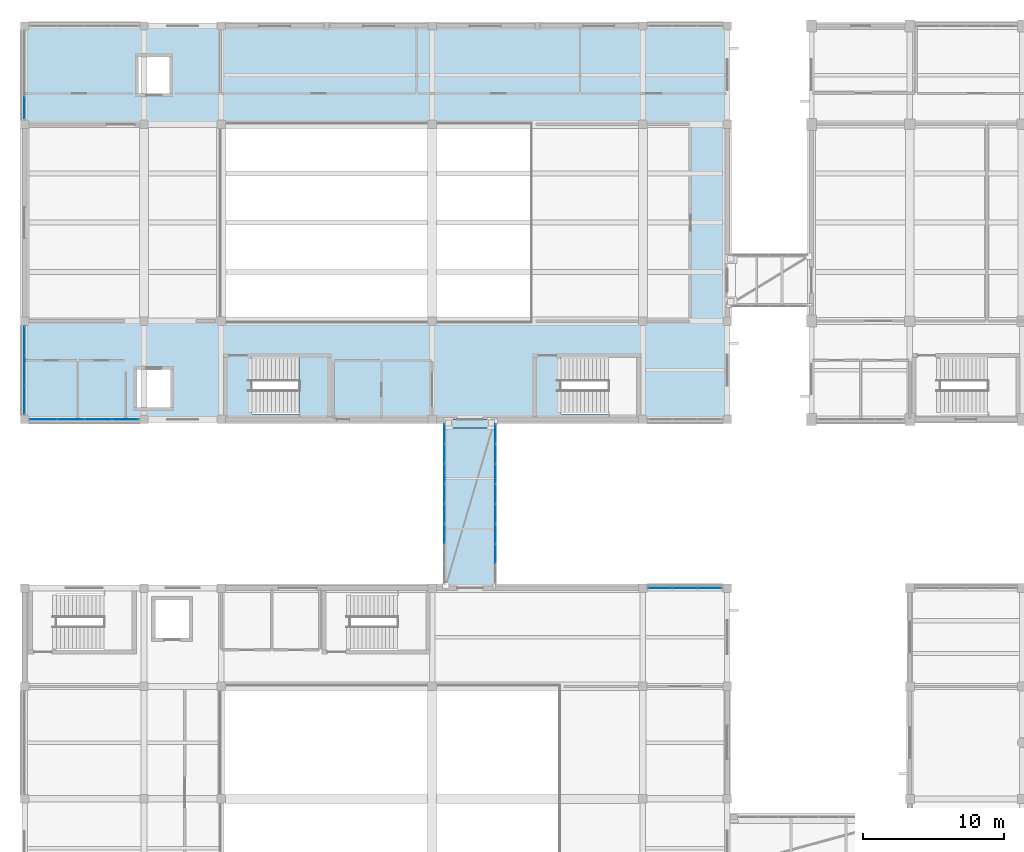
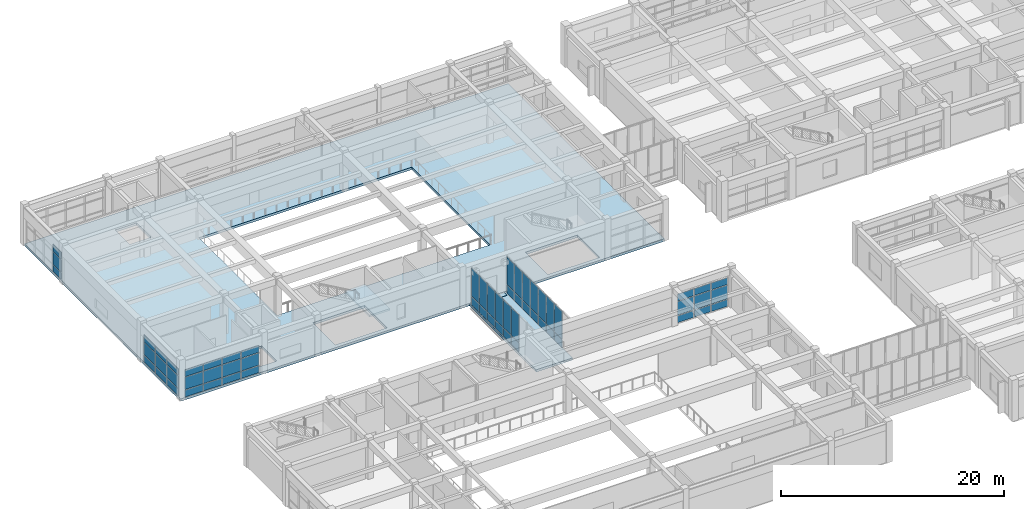
# One storey, part 38 of 72: 60 plates, 3 slabs, 7 elements without a shape of their own.
"""IFC4 building model written with IfcOpenShell, lengths in metres."""

from ifc_helpers import new_model, si_unit, direction, frame, origin, origin_2d, place, context, subcontext, project, spatial, polyline, rectangle, outline, extrude, material, layer, layer_set, type_object, element, aggregate, save


model = new_model("IFC4")

# Units and contexts
model_context = context("Model", 3, precision=1e-05, world=origin(), true_north=direction((0.0, 1.0)))
body_context = subcontext(model_context, "Body", "Model", "MODEL_VIEW")
ifc_project = project(units=[si_unit("LENGTHUNIT", "METRE"), si_unit("AREAUNIT", "SQUARE_METRE"), si_unit("VOLUMEUNIT", "CUBIC_METRE"), si_unit("PLANEANGLEUNIT", "RADIAN"), si_unit("MASSUNIT", "GRAM", prefix="KILO")], contexts=[model_context])

# Site, building, storey
site_placement = place(None, origin())
site = spatial("IfcSite", under=ifc_project, at=site_placement, CompositionType="ELEMENT")
building_placement = place(site_placement, origin())
building = spatial("IfcBuilding", under=site, at=building_placement, Name="Naurynzar Civic Courthouse", CompositionType="ELEMENT")
storey_placement = place(building_placement, frame((0.0, 0.0, 9.89990234375)))
storey = spatial("IfcBuildingStorey", under=building, at=storey_placement, Name="L03", CompositionType="ELEMENT", Elevation=9.89990234375)

# Curtain wall, plates
ifc_material_1 = material(Name="Aluminium 6063-T6", Category="aluminium")
ifc_layer_1 = layer(ifc_material_1, 0.14990234375)
ifc_layer_set_1 = layer_set([ifc_layer_1], Name="CW-BRIDGE-1500")
curtain_wall_type_1 = type_object("IfcCurtainWallType", Name="CW-BRIDGE-1500", PredefinedType="USERDEFINED", material=ifc_layer_set_1)
curtain_wall_1_placement = place(storey_placement, origin())
curtain_wall_1 = element("IfcCurtainWall", 1, at=curtain_wall_1_placement, inside=storey, type_object=curtain_wall_type_1, Name="BR-W1 glazed bridge screen L03.1", ObjectType="GLAZED BRIDGE SCREEN", PredefinedType="USERDEFINED")
ifc_material_2 = material(Name="Tempered Laminated Low-E Glass", Category="glass")
ifc_layer_2 = layer(ifc_material_2, 0.031982421875)
ifc_layer_set_2 = layer_set([ifc_layer_2], Name="CWP-IGU-32")
plate_type_1 = type_object("IfcPlateType", Name="CWP-IGU-32", PredefinedType="CURTAIN_PANEL", material=ifc_layer_set_2)
plate_1_placement = place(storey_placement, frame((35.8798828125, 42.972412109375, 0.06005859375), z_axis=(0.0, 0.0, 1.0), x_axis=(0.0, -1.0, 0.0)))
plate_1 = element("IfcPlate", 2, at=plate_1_placement, type_object=plate_type_1, Name="CW-03 panel 1.1", PredefinedType="CURTAIN_PANEL", context=body_context, shape_type="SweptSolid", body=[
    extrude(rectangle(XDim=1.3349609375, YDim=0.031982421875, at=origin_2d()), origin(), (0.0, 0.0, 1.0), 0.909912109375),
])
plate_2_placement = place(storey_placement, frame((35.8798828125, 42.972412109375, 1.0302734375), z_axis=(0.0, 0.0, 1.0), x_axis=(0.0, -1.0, 0.0)))
plate_2 = element("IfcPlate", 3, at=plate_2_placement, type_object=plate_type_1, Name="CW-03 panel 1.2", PredefinedType="CURTAIN_PANEL", context=body_context, shape_type="SweptSolid", body=[
    extrude(rectangle(XDim=1.3349609375, YDim=0.031982421875, at=origin_2d()), origin(), (0.0, 0.0, 1.0), 3.030029296875),
])
plate_3_placement = place(storey_placement, frame((35.8798828125, 41.5625, 0.06005859375), z_axis=(0.0, 0.0, 1.0), x_axis=(0.0, -1.0, 0.0)))
plate_3 = element("IfcPlate", 4, at=plate_3_placement, type_object=plate_type_1, Name="CW-03 panel 2.1", PredefinedType="CURTAIN_PANEL", context=body_context, shape_type="SweptSolid", body=[
    extrude(rectangle(XDim=1.364990234375, YDim=0.031982421875, at=origin_2d()), origin(), (0.0, 0.0, 1.0), 0.909912109375),
])
plate_4_placement = place(storey_placement, frame((35.8798828125, 41.5625, 1.0302734375), z_axis=(0.0, 0.0, 1.0), x_axis=(0.0, -1.0, 0.0)))
plate_4 = element("IfcPlate", 5, at=plate_4_placement, type_object=plate_type_1, Name="CW-03 panel 2.2", PredefinedType="CURTAIN_PANEL", context=body_context, shape_type="SweptSolid", body=[
    extrude(rectangle(XDim=1.364990234375, YDim=0.031982421875, at=origin_2d()), origin(), (0.0, 0.0, 1.0), 3.030029296875),
])
plate_5_placement = place(storey_placement, frame((35.8798828125, 40.137451171875, 0.06005859375), z_axis=(0.0, 0.0, 1.0), x_axis=(0.0, -1.0, 0.0)))
plate_5 = element("IfcPlate", 6, at=plate_5_placement, type_object=plate_type_1, Name="CW-03 panel 3.1", PredefinedType="CURTAIN_PANEL", context=body_context, shape_type="SweptSolid", body=[
    extrude(rectangle(XDim=1.364990234375, YDim=0.031982421875, at=origin_2d()), origin(), (0.0, 0.0, 1.0), 0.909912109375),
])
plate_6_placement = place(storey_placement, frame((35.8798828125, 40.137451171875, 1.0302734375), z_axis=(0.0, 0.0, 1.0), x_axis=(0.0, -1.0, 0.0)))
plate_6 = element("IfcPlate", 7, at=plate_6_placement, type_object=plate_type_1, Name="CW-03 panel 3.2", PredefinedType="CURTAIN_PANEL", context=body_context, shape_type="SweptSolid", body=[
    extrude(rectangle(XDim=1.364990234375, YDim=0.031982421875, at=origin_2d()), origin(), (0.0, 0.0, 1.0), 3.030029296875),
])
plate_7_placement = place(storey_placement, frame((35.8798828125, 38.71240234375, 0.06005859375), z_axis=(0.0, 0.0, 1.0), x_axis=(0.0, -1.0, 0.0)))
plate_7 = element("IfcPlate", 8, at=plate_7_placement, type_object=plate_type_1, Name="CW-03 panel 4.1", PredefinedType="CURTAIN_PANEL", context=body_context, shape_type="SweptSolid", body=[
    extrude(rectangle(XDim=1.364990234375, YDim=0.031982421875, at=origin_2d()), origin(), (0.0, 0.0, 1.0), 0.909912109375),
])
plate_8_placement = place(storey_placement, frame((35.8798828125, 38.71240234375, 1.0302734375), z_axis=(0.0, 0.0, 1.0), x_axis=(0.0, -1.0, 0.0)))
plate_8 = element("IfcPlate", 9, at=plate_8_placement, type_object=plate_type_1, Name="CW-03 panel 4.2", PredefinedType="CURTAIN_PANEL", context=body_context, shape_type="SweptSolid", body=[
    extrude(rectangle(XDim=1.364990234375, YDim=0.031982421875, at=origin_2d()), origin(), (0.0, 0.0, 1.0), 3.030029296875),
])
plate_9_placement = place(storey_placement, frame((35.8798828125, 37.28759765625, 0.06005859375), z_axis=(0.0, 0.0, 1.0), x_axis=(0.0, -1.0, 0.0)))
plate_9 = element("IfcPlate", 10, at=plate_9_placement, type_object=plate_type_1, Name="CW-03 panel 5.1", PredefinedType="CURTAIN_PANEL", context=body_context, shape_type="SweptSolid", body=[
    extrude(rectangle(XDim=1.364990234375, YDim=0.031982421875, at=origin_2d()), origin(), (0.0, 0.0, 1.0), 0.909912109375),
])
plate_10_placement = place(storey_placement, frame((35.8798828125, 37.28759765625, 1.0302734375), z_axis=(0.0, 0.0, 1.0), x_axis=(0.0, -1.0, 0.0)))
plate_10 = element("IfcPlate", 11, at=plate_10_placement, type_object=plate_type_1, Name="CW-03 panel 5.2", PredefinedType="CURTAIN_PANEL", context=body_context, shape_type="SweptSolid", body=[
    extrude(rectangle(XDim=1.364990234375, YDim=0.031982421875, at=origin_2d()), origin(), (0.0, 0.0, 1.0), 3.030029296875),
])
plate_11_placement = place(storey_placement, frame((35.8798828125, 35.862548828125, 0.06005859375), z_axis=(0.0, 0.0, 1.0), x_axis=(0.0, -1.0, 0.0)))
plate_11 = element("IfcPlate", 12, at=plate_11_placement, type_object=plate_type_1, Name="CW-03 panel 6.1", PredefinedType="CURTAIN_PANEL", context=body_context, shape_type="SweptSolid", body=[
    extrude(rectangle(XDim=1.364990234375, YDim=0.031982421875, at=origin_2d()), origin(), (0.0, 0.0, 1.0), 0.909912109375),
])
plate_12_placement = place(storey_placement, frame((35.8798828125, 35.862548828125, 1.0302734375), z_axis=(0.0, 0.0, 1.0), x_axis=(0.0, -1.0, 0.0)))
plate_12 = element("IfcPlate", 13, at=plate_12_placement, type_object=plate_type_1, Name="CW-03 panel 6.2", PredefinedType="CURTAIN_PANEL", context=body_context, shape_type="SweptSolid", body=[
    extrude(rectangle(XDim=1.364990234375, YDim=0.031982421875, at=origin_2d()), origin(), (0.0, 0.0, 1.0), 3.030029296875),
])
aggregate(curtain_wall_1, [plate_1, plate_2, plate_3, plate_4, plate_5, plate_6, plate_7, plate_8, plate_9, plate_10, plate_11, plate_12])

curtain_wall_2_placement = place(storey_placement, origin())
curtain_wall_2 = element("IfcCurtainWall", 14, at=curtain_wall_2_placement, inside=storey, type_object=curtain_wall_type_1, Name="BR-W1 glazed bridge screen L03.2", ObjectType="GLAZED BRIDGE SCREEN", PredefinedType="USERDEFINED")
plate_13_placement = place(storey_placement, frame((39.52001953125, 34.4375, 0.06005859375), z_axis=(0.0, 0.0, 1.0), x_axis=(0.0, 1.0, 0.0)))
plate_13 = element("IfcPlate", 15, at=plate_13_placement, type_object=plate_type_1, Name="CW-03 panel 2.1", PredefinedType="CURTAIN_PANEL", context=body_context, shape_type="SweptSolid", body=[
    extrude(rectangle(XDim=1.364990234375, YDim=0.031982421875, at=origin_2d()), origin(), (0.0, 0.0, 1.0), 0.909912109375),
])
plate_14_placement = place(storey_placement, frame((39.52001953125, 34.4375, 1.0302734375), z_axis=(0.0, 0.0, 1.0), x_axis=(0.0, 1.0, 0.0)))
plate_14 = element("IfcPlate", 16, at=plate_14_placement, type_object=plate_type_1, Name="CW-03 panel 2.2", PredefinedType="CURTAIN_PANEL", context=body_context, shape_type="SweptSolid", body=[
    extrude(rectangle(XDim=1.364990234375, YDim=0.031982421875, at=origin_2d()), origin(), (0.0, 0.0, 1.0), 3.030029296875),
])
plate_15_placement = place(storey_placement, frame((39.52001953125, 35.862548828125, 0.06005859375), z_axis=(0.0, 0.0, 1.0), x_axis=(0.0, 1.0, 0.0)))
plate_15 = element("IfcPlate", 17, at=plate_15_placement, type_object=plate_type_1, Name="CW-03 panel 3.1", PredefinedType="CURTAIN_PANEL", context=body_context, shape_type="SweptSolid", body=[
    extrude(rectangle(XDim=1.364990234375, YDim=0.031982421875, at=origin_2d()), origin(), (0.0, 0.0, 1.0), 0.909912109375),
])
plate_16_placement = place(storey_placement, frame((39.52001953125, 35.862548828125, 1.0302734375), z_axis=(0.0, 0.0, 1.0), x_axis=(0.0, 1.0, 0.0)))
plate_16 = element("IfcPlate", 18, at=plate_16_placement, type_object=plate_type_1, Name="CW-03 panel 3.2", PredefinedType="CURTAIN_PANEL", context=body_context, shape_type="SweptSolid", body=[
    extrude(rectangle(XDim=1.364990234375, YDim=0.031982421875, at=origin_2d()), origin(), (0.0, 0.0, 1.0), 3.030029296875),
])
plate_17_placement = place(storey_placement, frame((39.52001953125, 37.28759765625, 0.06005859375), z_axis=(0.0, 0.0, 1.0), x_axis=(0.0, 1.0, 0.0)))
plate_17 = element("IfcPlate", 19, at=plate_17_placement, type_object=plate_type_1, Name="CW-03 panel 4.1", PredefinedType="CURTAIN_PANEL", context=body_context, shape_type="SweptSolid", body=[
    extrude(rectangle(XDim=1.364990234375, YDim=0.031982421875, at=origin_2d()), origin(), (0.0, 0.0, 1.0), 0.909912109375),
])
plate_18_placement = place(storey_placement, frame((39.52001953125, 37.28759765625, 1.0302734375), z_axis=(0.0, 0.0, 1.0), x_axis=(0.0, 1.0, 0.0)))
plate_18 = element("IfcPlate", 20, at=plate_18_placement, type_object=plate_type_1, Name="CW-03 panel 4.2", PredefinedType="CURTAIN_PANEL", context=body_context, shape_type="SweptSolid", body=[
    extrude(rectangle(XDim=1.364990234375, YDim=0.031982421875, at=origin_2d()), origin(), (0.0, 0.0, 1.0), 3.030029296875),
])
plate_19_placement = place(storey_placement, frame((39.52001953125, 38.71240234375, 0.06005859375), z_axis=(0.0, 0.0, 1.0), x_axis=(0.0, 1.0, 0.0)))
plate_19 = element("IfcPlate", 21, at=plate_19_placement, type_object=plate_type_1, Name="CW-03 panel 5.1", PredefinedType="CURTAIN_PANEL", context=body_context, shape_type="SweptSolid", body=[
    extrude(rectangle(XDim=1.364990234375, YDim=0.031982421875, at=origin_2d()), origin(), (0.0, 0.0, 1.0), 0.909912109375),
])
plate_20_placement = place(storey_placement, frame((39.52001953125, 38.71240234375, 1.0302734375), z_axis=(0.0, 0.0, 1.0), x_axis=(0.0, 1.0, 0.0)))
plate_20 = element("IfcPlate", 22, at=plate_20_placement, type_object=plate_type_1, Name="CW-03 panel 5.2", PredefinedType="CURTAIN_PANEL", context=body_context, shape_type="SweptSolid", body=[
    extrude(rectangle(XDim=1.364990234375, YDim=0.031982421875, at=origin_2d()), origin(), (0.0, 0.0, 1.0), 3.030029296875),
])
plate_21_placement = place(storey_placement, frame((39.52001953125, 40.137451171875, 0.06005859375), z_axis=(0.0, 0.0, 1.0), x_axis=(0.0, 1.0, 0.0)))
plate_21 = element("IfcPlate", 23, at=plate_21_placement, type_object=plate_type_1, Name="CW-03 panel 6.1", PredefinedType="CURTAIN_PANEL", context=body_context, shape_type="SweptSolid", body=[
    extrude(rectangle(XDim=1.364990234375, YDim=0.031982421875, at=origin_2d()), origin(), (0.0, 0.0, 1.0), 0.909912109375),
])
plate_22_placement = place(storey_placement, frame((39.52001953125, 40.137451171875, 1.0302734375), z_axis=(0.0, 0.0, 1.0), x_axis=(0.0, 1.0, 0.0)))
plate_22 = element("IfcPlate", 24, at=plate_22_placement, type_object=plate_type_1, Name="CW-03 panel 6.2", PredefinedType="CURTAIN_PANEL", context=body_context, shape_type="SweptSolid", body=[
    extrude(rectangle(XDim=1.364990234375, YDim=0.031982421875, at=origin_2d()), origin(), (0.0, 0.0, 1.0), 3.030029296875),
])
plate_23_placement = place(storey_placement, frame((39.52001953125, 41.5625, 0.06005859375), z_axis=(0.0, 0.0, 1.0), x_axis=(0.0, 1.0, 0.0)))
plate_23 = element("IfcPlate", 25, at=plate_23_placement, type_object=plate_type_1, Name="CW-03 panel 7.1", PredefinedType="CURTAIN_PANEL", context=body_context, shape_type="SweptSolid", body=[
    extrude(rectangle(XDim=1.364990234375, YDim=0.031982421875, at=origin_2d()), origin(), (0.0, 0.0, 1.0), 0.909912109375),
])
plate_24_placement = place(storey_placement, frame((39.52001953125, 41.5625, 1.0302734375), z_axis=(0.0, 0.0, 1.0), x_axis=(0.0, 1.0, 0.0)))
plate_24 = element("IfcPlate", 26, at=plate_24_placement, type_object=plate_type_1, Name="CW-03 panel 7.2", PredefinedType="CURTAIN_PANEL", context=body_context, shape_type="SweptSolid", body=[
    extrude(rectangle(XDim=1.364990234375, YDim=0.031982421875, at=origin_2d()), origin(), (0.0, 0.0, 1.0), 3.030029296875),
])
plate_25_placement = place(storey_placement, frame((39.52001953125, 42.972412109375, 0.06005859375), z_axis=(0.0, 0.0, 1.0), x_axis=(0.0, 1.0, 0.0)))
plate_25 = element("IfcPlate", 27, at=plate_25_placement, type_object=plate_type_1, Name="CW-03 panel 8.1", PredefinedType="CURTAIN_PANEL", context=body_context, shape_type="SweptSolid", body=[
    extrude(rectangle(XDim=1.3349609375, YDim=0.031982421875, at=origin_2d()), origin(), (0.0, 0.0, 1.0), 0.909912109375),
])
plate_26_placement = place(storey_placement, frame((39.52001953125, 42.972412109375, 1.0302734375), z_axis=(0.0, 0.0, 1.0), x_axis=(0.0, 1.0, 0.0)))
plate_26 = element("IfcPlate", 28, at=plate_26_placement, type_object=plate_type_1, Name="CW-03 panel 8.2", PredefinedType="CURTAIN_PANEL", context=body_context, shape_type="SweptSolid", body=[
    extrude(rectangle(XDim=1.3349609375, YDim=0.031982421875, at=origin_2d()), origin(), (0.0, 0.0, 1.0), 3.030029296875),
])
aggregate(curtain_wall_2, [plate_13, plate_14, plate_15, plate_16, plate_17, plate_18, plate_19, plate_20, plate_21, plate_22, plate_23, plate_24, plate_25, plate_26])

ifc_material_3 = material(Name="Aluminium 6063-T6", Category="aluminium")
ifc_layer_3 = layer(ifc_material_3, 0.159912109375)
ifc_layer_set_3 = layer_set([ifc_layer_3], Name="CW-UNIT-1800")
curtain_wall_type_2 = type_object("IfcCurtainWallType", Name="CW-UNIT-1800", PredefinedType="NOTDEFINED", material=ifc_layer_set_3)
curtain_wall_3_placement = place(storey_placement, origin())
curtain_wall_3 = element("IfcCurtainWall", 29, at=curtain_wall_3_placement, inside=storey, type_object=curtain_wall_type_2, Name="V1 unitised curtain wall 7 L03", PredefinedType="NOTDEFINED")
ifc_material_4 = material(Name="Tempered Laminated Low-E Glass", Category="glass")
ifc_layer_4 = layer(ifc_material_4, 0.035888671875)
ifc_layer_set_4 = layer_set([ifc_layer_4], Name="CWP-IGU-36")
plate_type_2 = type_object("IfcPlateType", Name="CWP-IGU-36", PredefinedType="CURTAIN_PANEL", material=ifc_layer_set_4)
plate_27_placement = place(storey_placement, frame((6.0, 45.41748046875, 0.070068359375), z_axis=(0.0, 0.0, 1.0), x_axis=(0.0, 1.0, 0.0)))
plate_27 = element("IfcPlate", 30, at=plate_27_placement, type_object=plate_type_2, Name="CW-02 panel 1.1", PredefinedType="CURTAIN_PANEL", context=body_context, shape_type="SweptSolid", body=[
    extrude(rectangle(XDim=1.9951171875, YDim=0.035888671875, at=origin_2d()), origin(), (0.0, 0.0, 1.0), 0.7451171875),
])
plate_28_placement = place(storey_placement, frame((6.0, 45.41748046875, 0.88525390625), z_axis=(0.0, 0.0, 1.0), x_axis=(0.0, 1.0, 0.0)))
plate_28 = element("IfcPlate", 31, at=plate_28_placement, type_object=plate_type_2, Name="CW-02 panel 1.2", PredefinedType="CURTAIN_PANEL", context=body_context, shape_type="SweptSolid", body=[
    extrude(rectangle(XDim=1.9951171875, YDim=0.035888671875, at=origin_2d()), origin(), (0.0, 0.0, 1.0), 1.340087890625),
])
plate_29_placement = place(storey_placement, frame((6.0, 45.41748046875, 2.294921875), z_axis=(0.0, 0.0, 1.0), x_axis=(0.0, 1.0, 0.0)))
plate_29 = element("IfcPlate", 32, at=plate_29_placement, type_object=plate_type_2, Name="CW-02 panel 1.3", PredefinedType="CURTAIN_PANEL", context=body_context, shape_type="SweptSolid", body=[
    extrude(rectangle(XDim=1.9951171875, YDim=0.035888671875, at=origin_2d()), origin(), (0.0, 0.0, 1.0), 0.7451171875),
])
plate_30_placement = place(storey_placement, frame((6.0, 47.5, 0.070068359375), z_axis=(0.0, 0.0, 1.0), x_axis=(0.0, 1.0, 0.0)))
plate_30 = element("IfcPlate", 33, at=plate_30_placement, type_object=plate_type_2, Name="CW-02 panel 2.1", PredefinedType="CURTAIN_PANEL", context=body_context, shape_type="SweptSolid", body=[
    extrude(rectangle(XDim=2.030029296875, YDim=0.035888671875, at=origin_2d()), origin(), (0.0, 0.0, 1.0), 0.7451171875),
])
plate_31_placement = place(storey_placement, frame((6.0, 47.5, 0.88525390625), z_axis=(0.0, 0.0, 1.0), x_axis=(0.0, 1.0, 0.0)))
plate_31 = element("IfcPlate", 34, at=plate_31_placement, type_object=plate_type_2, Name="CW-02 panel 2.2", PredefinedType="CURTAIN_PANEL", context=body_context, shape_type="SweptSolid", body=[
    extrude(rectangle(XDim=2.030029296875, YDim=0.035888671875, at=origin_2d()), origin(), (0.0, 0.0, 1.0), 1.340087890625),
])
plate_32_placement = place(storey_placement, frame((6.0, 47.5, 2.294921875), z_axis=(0.0, 0.0, 1.0), x_axis=(0.0, 1.0, 0.0)))
plate_32 = element("IfcPlate", 35, at=plate_32_placement, type_object=plate_type_2, Name="CW-02 panel 2.3", PredefinedType="CURTAIN_PANEL", context=body_context, shape_type="SweptSolid", body=[
    extrude(rectangle(XDim=2.030029296875, YDim=0.035888671875, at=origin_2d()), origin(), (0.0, 0.0, 1.0), 0.7451171875),
])
plate_33_placement = place(storey_placement, frame((6.0, 49.58251953125, 0.070068359375), z_axis=(0.0, 0.0, 1.0), x_axis=(0.0, 1.0, 0.0)))
plate_33 = element("IfcPlate", 36, at=plate_33_placement, type_object=plate_type_2, Name="CW-02 panel 3.1", PredefinedType="CURTAIN_PANEL", context=body_context, shape_type="SweptSolid", body=[
    extrude(rectangle(XDim=1.9951171875, YDim=0.035888671875, at=origin_2d()), origin(), (0.0, 0.0, 1.0), 0.7451171875),
])
plate_34_placement = place(storey_placement, frame((6.0, 49.58251953125, 0.88525390625), z_axis=(0.0, 0.0, 1.0), x_axis=(0.0, 1.0, 0.0)))
plate_34 = element("IfcPlate", 37, at=plate_34_placement, type_object=plate_type_2, Name="CW-02 panel 3.2", PredefinedType="CURTAIN_PANEL", context=body_context, shape_type="SweptSolid", body=[
    extrude(rectangle(XDim=1.9951171875, YDim=0.035888671875, at=origin_2d()), origin(), (0.0, 0.0, 1.0), 1.340087890625),
])
plate_35_placement = place(storey_placement, frame((6.0, 49.58251953125, 2.294921875), z_axis=(0.0, 0.0, 1.0), x_axis=(0.0, 1.0, 0.0)))
plate_35 = element("IfcPlate", 38, at=plate_35_placement, type_object=plate_type_2, Name="CW-02 panel 3.3", PredefinedType="CURTAIN_PANEL", context=body_context, shape_type="SweptSolid", body=[
    extrude(rectangle(XDim=1.9951171875, YDim=0.035888671875, at=origin_2d()), origin(), (0.0, 0.0, 1.0), 0.7451171875),
])
aggregate(curtain_wall_3, [plate_27, plate_28, plate_29, plate_30, plate_31, plate_32, plate_33, plate_34, plate_35])

curtain_wall_4_placement = place(storey_placement, origin())
curtain_wall_4 = element("IfcCurtainWall", 39, at=curtain_wall_4_placement, inside=storey, type_object=curtain_wall_type_2, Name="V1 unitised curtain wall 8 L03", PredefinedType="NOTDEFINED")
plate_36_placement = place(storey_placement, frame((6.0, 66.155029296875, 0.070068359375), z_axis=(0.0, 0.0, 1.0), x_axis=(0.0, 1.0, 0.0)))
plate_36 = element("IfcPlate", 40, at=plate_36_placement, type_object=plate_type_2, Name="CW-02 panel 1.1", PredefinedType="CURTAIN_PANEL", context=body_context, shape_type="SweptSolid", body=[
    extrude(rectangle(XDim=1.469970703125, YDim=0.035888671875, at=origin_2d()), origin(), (0.0, 0.0, 1.0), 0.7451171875),
])
plate_37_placement = place(storey_placement, frame((6.0, 66.155029296875, 0.88525390625), z_axis=(0.0, 0.0, 1.0), x_axis=(0.0, 1.0, 0.0)))
plate_37 = element("IfcPlate", 41, at=plate_37_placement, type_object=plate_type_2, Name="CW-02 panel 1.2", PredefinedType="CURTAIN_PANEL", context=body_context, shape_type="SweptSolid", body=[
    extrude(rectangle(XDim=1.469970703125, YDim=0.035888671875, at=origin_2d()), origin(), (0.0, 0.0, 1.0), 1.340087890625),
])
plate_38_placement = place(storey_placement, frame((6.0, 66.155029296875, 2.294921875), z_axis=(0.0, 0.0, 1.0), x_axis=(0.0, 1.0, 0.0)))
plate_38 = element("IfcPlate", 42, at=plate_38_placement, type_object=plate_type_2, Name="CW-02 panel 1.3", PredefinedType="CURTAIN_PANEL", context=body_context, shape_type="SweptSolid", body=[
    extrude(rectangle(XDim=1.469970703125, YDim=0.035888671875, at=origin_2d()), origin(), (0.0, 0.0, 1.0), 0.7451171875),
])
aggregate(curtain_wall_4, [plate_36, plate_37, plate_38])

curtain_wall_5_placement = place(storey_placement, origin())
curtain_wall_5 = element("IfcCurtainWall", 43, at=curtain_wall_5_placement, inside=storey, type_object=curtain_wall_type_2, Name="V1 unitised curtain wall 12 L03", PredefinedType="NOTDEFINED")
plate_39_placement = place(storey_placement, frame((13.157470703125, 44.0, 0.070068359375), z_axis=(0.0, 0.0, 1.0), x_axis=(-1.0, 0.0, 0.0)))
plate_39 = element("IfcPlate", 44, at=plate_39_placement, type_object=plate_type_2, Name="CW-02 panel 1.1", PredefinedType="CURTAIN_PANEL", context=body_context, shape_type="SweptSolid", body=[
    extrude(rectangle(XDim=1.844970703125, YDim=0.035888671875, at=origin_2d()), origin(), (0.0, 0.0, 1.0), 0.7451171875),
])
plate_40_placement = place(storey_placement, frame((13.157470703125, 44.0, 0.88525390625), z_axis=(0.0, 0.0, 1.0), x_axis=(-1.0, 0.0, 0.0)))
plate_40 = element("IfcPlate", 45, at=plate_40_placement, type_object=plate_type_2, Name="CW-02 panel 1.2", PredefinedType="CURTAIN_PANEL", context=body_context, shape_type="SweptSolid", body=[
    extrude(rectangle(XDim=1.844970703125, YDim=0.035888671875, at=origin_2d()), origin(), (0.0, 0.0, 1.0), 1.340087890625),
])
plate_41_placement = place(storey_placement, frame((13.157470703125, 44.0, 2.294921875), z_axis=(0.0, 0.0, 1.0), x_axis=(-1.0, 0.0, 0.0)))
plate_41 = element("IfcPlate", 46, at=plate_41_placement, type_object=plate_type_2, Name="CW-02 panel 1.3", PredefinedType="CURTAIN_PANEL", context=body_context, shape_type="SweptSolid", body=[
    extrude(rectangle(XDim=1.844970703125, YDim=0.035888671875, at=origin_2d()), origin(), (0.0, 0.0, 1.0), 0.7451171875),
])
plate_42_placement = place(storey_placement, frame((11.22509765625, 44.0, 0.070068359375), z_axis=(0.0, 0.0, 1.0), x_axis=(-1.0, 0.0, 0.0)))
plate_42 = element("IfcPlate", 47, at=plate_42_placement, type_object=plate_type_2, Name="CW-02 panel 2.1", PredefinedType="CURTAIN_PANEL", context=body_context, shape_type="SweptSolid", body=[
    extrude(rectangle(XDim=1.8798828125, YDim=0.035888671875, at=origin_2d()), origin(), (0.0, 0.0, 1.0), 0.7451171875),
])
plate_43_placement = place(storey_placement, frame((11.22509765625, 44.0, 0.88525390625), z_axis=(0.0, 0.0, 1.0), x_axis=(-1.0, 0.0, 0.0)))
plate_43 = element("IfcPlate", 48, at=plate_43_placement, type_object=plate_type_2, Name="CW-02 panel 2.2", PredefinedType="CURTAIN_PANEL", context=body_context, shape_type="SweptSolid", body=[
    extrude(rectangle(XDim=1.8798828125, YDim=0.035888671875, at=origin_2d()), origin(), (0.0, 0.0, 1.0), 1.340087890625),
])
plate_44_placement = place(storey_placement, frame((11.22509765625, 44.0, 2.294921875), z_axis=(0.0, 0.0, 1.0), x_axis=(-1.0, 0.0, 0.0)))
plate_44 = element("IfcPlate", 49, at=plate_44_placement, type_object=plate_type_2, Name="CW-02 panel 2.3", PredefinedType="CURTAIN_PANEL", context=body_context, shape_type="SweptSolid", body=[
    extrude(rectangle(XDim=1.8798828125, YDim=0.035888671875, at=origin_2d()), origin(), (0.0, 0.0, 1.0), 0.7451171875),
])
plate_45_placement = place(storey_placement, frame((9.27490234375, 44.0, 0.070068359375), z_axis=(0.0, 0.0, 1.0), x_axis=(-1.0, 0.0, 0.0)))
plate_45 = element("IfcPlate", 50, at=plate_45_placement, type_object=plate_type_2, Name="CW-02 panel 3.1", PredefinedType="CURTAIN_PANEL", context=body_context, shape_type="SweptSolid", body=[
    extrude(rectangle(XDim=1.8798828125, YDim=0.035888671875, at=origin_2d()), origin(), (0.0, 0.0, 1.0), 0.7451171875),
])
plate_46_placement = place(storey_placement, frame((9.27490234375, 44.0, 0.88525390625), z_axis=(0.0, 0.0, 1.0), x_axis=(-1.0, 0.0, 0.0)))
plate_46 = element("IfcPlate", 51, at=plate_46_placement, type_object=plate_type_2, Name="CW-02 panel 3.2", PredefinedType="CURTAIN_PANEL", context=body_context, shape_type="SweptSolid", body=[
    extrude(rectangle(XDim=1.8798828125, YDim=0.035888671875, at=origin_2d()), origin(), (0.0, 0.0, 1.0), 1.340087890625),
])
plate_47_placement = place(storey_placement, frame((9.27490234375, 44.0, 2.294921875), z_axis=(0.0, 0.0, 1.0), x_axis=(-1.0, 0.0, 0.0)))
plate_47 = element("IfcPlate", 52, at=plate_47_placement, type_object=plate_type_2, Name="CW-02 panel 3.3", PredefinedType="CURTAIN_PANEL", context=body_context, shape_type="SweptSolid", body=[
    extrude(rectangle(XDim=1.8798828125, YDim=0.035888671875, at=origin_2d()), origin(), (0.0, 0.0, 1.0), 0.7451171875),
])
plate_48_placement = place(storey_placement, frame((7.342529296875, 44.0, 0.070068359375), z_axis=(0.0, 0.0, 1.0), x_axis=(-1.0, 0.0, 0.0)))
plate_48 = element("IfcPlate", 53, at=plate_48_placement, type_object=plate_type_2, Name="CW-02 panel 4.1", PredefinedType="CURTAIN_PANEL", context=body_context, shape_type="SweptSolid", body=[
    extrude(rectangle(XDim=1.844970703125, YDim=0.035888671875, at=origin_2d()), origin(), (0.0, 0.0, 1.0), 0.7451171875),
])
plate_49_placement = place(storey_placement, frame((7.342529296875, 44.0, 0.88525390625), z_axis=(0.0, 0.0, 1.0), x_axis=(-1.0, 0.0, 0.0)))
plate_49 = element("IfcPlate", 54, at=plate_49_placement, type_object=plate_type_2, Name="CW-02 panel 4.2", PredefinedType="CURTAIN_PANEL", context=body_context, shape_type="SweptSolid", body=[
    extrude(rectangle(XDim=1.844970703125, YDim=0.035888671875, at=origin_2d()), origin(), (0.0, 0.0, 1.0), 1.340087890625),
])
plate_50_placement = place(storey_placement, frame((7.342529296875, 44.0, 2.294921875), z_axis=(0.0, 0.0, 1.0), x_axis=(-1.0, 0.0, 0.0)))
plate_50 = element("IfcPlate", 55, at=plate_50_placement, type_object=plate_type_2, Name="CW-02 panel 4.3", PredefinedType="CURTAIN_PANEL", context=body_context, shape_type="SweptSolid", body=[
    extrude(rectangle(XDim=1.844970703125, YDim=0.035888671875, at=origin_2d()), origin(), (0.0, 0.0, 1.0), 0.7451171875),
])
aggregate(curtain_wall_5, [plate_39, plate_40, plate_41, plate_42, plate_43, plate_44, plate_45, plate_46, plate_47, plate_48, plate_49, plate_50])

curtain_wall_6_placement = place(storey_placement, origin())
curtain_wall_6 = element("IfcCurtainWall", 56, at=curtain_wall_6_placement, inside=storey, type_object=curtain_wall_type_2, Name="V4 unitised curtain wall 79 L03", PredefinedType="NOTDEFINED")
plate_51_placement = place(storey_placement, frame((51.250732421875, 32.0, 0.070068359375), z_axis=(0.0, 0.0, 1.0), x_axis=(1.0, 0.0, 0.0)))
plate_51 = element("IfcPlate", 57, at=plate_51_placement, type_object=plate_type_2, Name="CW-02 panel 1.1", PredefinedType="CURTAIN_PANEL", context=body_context, shape_type="SweptSolid", body=[
    extrude(rectangle(XDim=1.66162109375, YDim=0.035888671875, at=origin_2d()), origin(), (0.0, 0.0, 1.0), 0.7451171875),
])
plate_52_placement = place(storey_placement, frame((51.250732421875, 32.0, 0.88525390625), z_axis=(0.0, 0.0, 1.0), x_axis=(1.0, 0.0, 0.0)))
plate_52 = element("IfcPlate", 58, at=plate_52_placement, type_object=plate_type_2, Name="CW-02 panel 1.2", PredefinedType="CURTAIN_PANEL", context=body_context, shape_type="SweptSolid", body=[
    extrude(rectangle(XDim=1.66162109375, YDim=0.035888671875, at=origin_2d()), origin(), (0.0, 0.0, 1.0), 1.489990234375),
])
plate_53_placement = place(storey_placement, frame((51.250732421875, 32.0, 2.445068359375), z_axis=(0.0, 0.0, 1.0), x_axis=(1.0, 0.0, 0.0)))
plate_53 = element("IfcPlate", 59, at=plate_53_placement, type_object=plate_type_2, Name="CW-02 panel 1.3", PredefinedType="CURTAIN_PANEL", context=body_context, shape_type="SweptSolid", body=[
    extrude(rectangle(XDim=1.66162109375, YDim=0.035888671875, at=origin_2d()), origin(), (0.0, 0.0, 1.0), 0.7451171875),
])
plate_54_placement = place(storey_placement, frame((53.0, 32.0, 0.070068359375), z_axis=(0.0, 0.0, 1.0), x_axis=(1.0, 0.0, 0.0)))
plate_54 = element("IfcPlate", 60, at=plate_54_placement, type_object=plate_type_2, Name="CW-02 panel 2.1", PredefinedType="CURTAIN_PANEL", context=body_context, shape_type="SweptSolid", body=[
    extrude(rectangle(XDim=1.69677734375, YDim=0.035888671875, at=origin_2d()), origin(), (0.0, 0.0, 1.0), 0.7451171875),
])
plate_55_placement = place(storey_placement, frame((53.0, 32.0, 0.88525390625), z_axis=(0.0, 0.0, 1.0), x_axis=(1.0, 0.0, 0.0)))
plate_55 = element("IfcPlate", 61, at=plate_55_placement, type_object=plate_type_2, Name="CW-02 panel 2.2", PredefinedType="CURTAIN_PANEL", context=body_context, shape_type="SweptSolid", body=[
    extrude(rectangle(XDim=1.69677734375, YDim=0.035888671875, at=origin_2d()), origin(), (0.0, 0.0, 1.0), 1.489990234375),
])
plate_56_placement = place(storey_placement, frame((53.0, 32.0, 2.445068359375), z_axis=(0.0, 0.0, 1.0), x_axis=(1.0, 0.0, 0.0)))
plate_56 = element("IfcPlate", 62, at=plate_56_placement, type_object=plate_type_2, Name="CW-02 panel 2.3", PredefinedType="CURTAIN_PANEL", context=body_context, shape_type="SweptSolid", body=[
    extrude(rectangle(XDim=1.69677734375, YDim=0.035888671875, at=origin_2d()), origin(), (0.0, 0.0, 1.0), 0.7451171875),
])
plate_57_placement = place(storey_placement, frame((54.749267578125, 32.0, 0.070068359375), z_axis=(0.0, 0.0, 1.0), x_axis=(1.0, 0.0, 0.0)))
plate_57 = element("IfcPlate", 63, at=plate_57_placement, type_object=plate_type_2, Name="CW-02 panel 3.1", PredefinedType="CURTAIN_PANEL", context=body_context, shape_type="SweptSolid", body=[
    extrude(rectangle(XDim=1.66162109375, YDim=0.035888671875, at=origin_2d()), origin(), (0.0, 0.0, 1.0), 0.7451171875),
])
plate_58_placement = place(storey_placement, frame((54.749267578125, 32.0, 0.88525390625), z_axis=(0.0, 0.0, 1.0), x_axis=(1.0, 0.0, 0.0)))
plate_58 = element("IfcPlate", 64, at=plate_58_placement, type_object=plate_type_2, Name="CW-02 panel 3.2", PredefinedType="CURTAIN_PANEL", context=body_context, shape_type="SweptSolid", body=[
    extrude(rectangle(XDim=1.66162109375, YDim=0.035888671875, at=origin_2d()), origin(), (0.0, 0.0, 1.0), 1.489990234375),
])
plate_59_placement = place(storey_placement, frame((54.749267578125, 32.0, 2.445068359375), z_axis=(0.0, 0.0, 1.0), x_axis=(1.0, 0.0, 0.0)))
plate_59 = element("IfcPlate", 65, at=plate_59_placement, type_object=plate_type_2, Name="CW-02 panel 3.3", PredefinedType="CURTAIN_PANEL", context=body_context, shape_type="SweptSolid", body=[
    extrude(rectangle(XDim=1.66162109375, YDim=0.035888671875, at=origin_2d()), origin(), (0.0, 0.0, 1.0), 0.7451171875),
])
aggregate(curtain_wall_6, [plate_51, plate_52, plate_53, plate_54, plate_55, plate_56, plate_57, plate_58, plate_59])

# Plate
ifc_material_5 = material(Name="Brushed Stainless Steel 304", Category="steel")
ifc_layer_5 = layer(ifc_material_5, 0.011962890625)
ifc_layer_set_5 = layer_set([ifc_layer_5], Name="PLT-SEISMIC-COVER-12")
plate_type_3 = type_object("IfcPlateType", Name="PLT-SEISMIC-COVER-12", PredefinedType="SHEET", material=ifc_layer_set_5)
plate_60_placement = place(storey_placement, frame((37.699951171875, 43.699951171875, 0.0), z_axis=(0.0, 0.0, 1.0), x_axis=(1.0, 0.0, 0.0)))
element("IfcPlate", 66, at=plate_60_placement, inside=storey, type_object=plate_type_3, Name="BR-W1 seismic floor joint cover plate L03", PredefinedType="SHEET", context=body_context, shape_type="SweptSolid", body=[
    extrude(rectangle(XDim=3.39990234375, YDim=0.60009765625, at=origin_2d()), origin(), (0.0, 0.0, 1.0), 0.011962890625),
])

# Slabs
ifc_material_6 = material(Name="Concrete C35/45", Category="concrete")
ifc_layer_6 = layer(ifc_material_6, 0.239990234375)
ifc_layer_set_6 = layer_set([ifc_layer_6], Name="SLB-BRG-240")
slab_type_1 = type_object("IfcSlabType", Name="SLB-BRG-240", PredefinedType="FLOOR", material=ifc_layer_set_6)
slab_1_placement = place(storey_placement, frame((0.0, 0.0, -0.239990234375)))
element("IfcSlab", 67, at=slab_1_placement, inside=storey, type_object=slab_type_1, Name="West Atrium Seismic Link Passage deck slab L03", PredefinedType="FLOOR", context=body_context, shape_type="SweptSolid", body=[
    extrude(outline(polyline([(35.820068359375, 32.02001953125), (39.580078125, 32.02001953125), (39.580078125, 43.97998046875), (35.820068359375, 43.97998046875), (35.820068359375, 32.02001953125)])), origin(), (0.0, 0.0, 1.0), 0.239990234375),
])
ifc_material_7 = material(Name="Concrete C35/45", Category="concrete")
ifc_layer_7 = layer(ifc_material_7, 0.260009765625)
ifc_layer_set_7 = layer_set([ifc_layer_7], Name="SLB-HALL-260")
slab_type_2 = type_object("IfcSlabType", Name="SLB-HALL-260", PredefinedType="FLOOR", material=ifc_layer_set_7)
slab_2_placement = place(storey_placement, frame((0.0, 0.0, -0.260009765625)))
element("IfcSlab", 68, at=slab_2_placement, inside=storey, type_object=slab_type_2, Name="V1 floor slab L03", PredefinedType="FLOOR", context=body_context, shape_type="SweptSolid", body=[
    extrude(outline(polyline([(6.0, 44.0), (6.0, 72.0), (56.0, 72.0), (56.0, 44.0), (6.0, 44.0)]), holes=[polyline([(42.0, 65.0), (20.0, 65.0), (20.0, 51.0), (42.0, 51.0), (42.0, 65.0)]), polyline([(22.179931640625, 44.39990234375), (27.550048828125, 44.39990234375), (27.550048828125, 48.39990234375), (22.179931640625, 48.39990234375), (22.179931640625, 44.39990234375)]), polyline([(44.179931640625, 44.39990234375), (49.550048828125, 44.39990234375), (49.550048828125, 48.39990234375), (44.179931640625, 48.39990234375), (44.179931640625, 44.39990234375)]), polyline([(14.0, 44.85009765625), (16.39990234375, 44.85009765625), (16.39990234375, 47.550048828125), (14.0, 47.550048828125), (14.0, 44.85009765625)]), polyline([(14.10009765625, 67.199951171875), (16.300048828125, 67.199951171875), (16.300048828125, 69.800048828125), (14.10009765625, 69.800048828125), (14.10009765625, 67.199951171875)])]), origin(), (0.0, 0.0, 1.0), 0.260009765625),
])

# Stair, slab
ifc_material_8 = material(Name="Concrete C35/45", Category="concrete")
stair_type = type_object("IfcStairType", Name="STAIR-CORE-1600", PredefinedType="TWO_STRAIGHT_RUN_STAIR", material=ifc_material_8)
stair_placement = place(storey_placement, origin())
stair = element("IfcStair", 69, at=stair_placement, inside=storey, type_object=stair_type, Name="Enclosed escape stair ST-V1A L03", PredefinedType="TWO_STRAIGHT_RUN_STAIR")
ifc_material_9 = material(Name="Concrete C35/45", Category="concrete")
ifc_layer_8 = layer(ifc_material_9, 0.199951171875)
ifc_layer_set_8 = layer_set([ifc_layer_8], Name="SLB-LAND-200")
slab_type_3 = type_object("IfcSlabType", Name="SLB-LAND-200", PredefinedType="LANDING", material=ifc_layer_set_8)
slab_3_placement = place(storey_placement, frame((0.0, 0.0, 2.050048828125)))
slab_3 = element("IfcSlab", 70, at=slab_3_placement, type_object=slab_type_3, Name="ST-V1A-L03 landing 1", PredefinedType="LANDING", context=body_context, shape_type="SweptSolid", body=[
    extrude(outline(polyline([(25.5400390625, 44.080078125), (27.669921875, 44.080078125), (27.669921875, 48.52001953125), (25.5400390625, 48.52001953125), (25.5400390625, 44.080078125)])), origin(), (0.0, 0.0, 1.0), 0.199951171875),
])
aggregate(stair, [slab_3])

save(model, "model.ifc")
